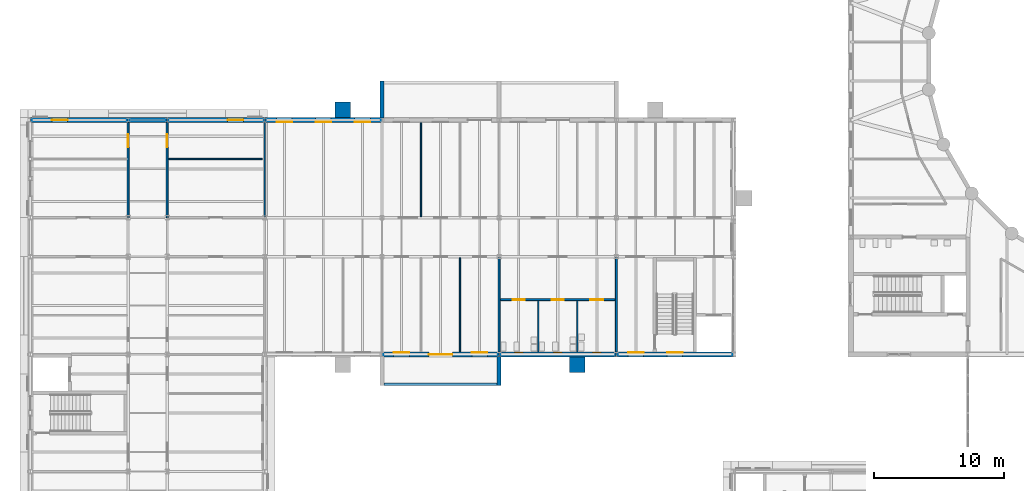
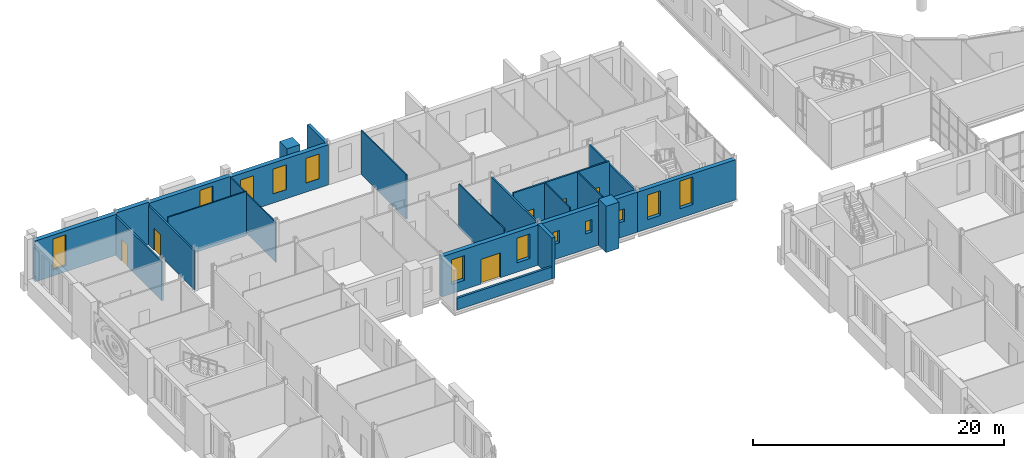
# One storey, part 80 of 134: 23 walls, 12 windows, 6 doors, 18 openings.
"""IFC4 building model written with IfcOpenShell, lengths in metres."""

from ifc_helpers import new_model, si_unit, direction, frame, frame_2d, origin, place, context, subcontext, project, spatial, rectangle, extrude, material, layer, layer_set, type_object, element, fill, save


model = new_model("IFC4")

# Units and contexts
model_context = context("Model", 3, precision=1e-05, world=origin(), true_north=direction((0.0, 1.0)))
body_context = subcontext(model_context, "Body", "Model", "MODEL_VIEW")
ifc_project = project(units=[si_unit("LENGTHUNIT", "METRE"), si_unit("AREAUNIT", "SQUARE_METRE"), si_unit("VOLUMEUNIT", "CUBIC_METRE"), si_unit("PLANEANGLEUNIT", "RADIAN"), si_unit("MASSUNIT", "GRAM", prefix="KILO")], contexts=[model_context])

# Site, building, storey
site_placement = place(None, origin())
site = spatial("IfcSite", under=ifc_project, at=site_placement, CompositionType="ELEMENT")
building_placement = place(site_placement, origin())
building = spatial("IfcBuilding", under=site, at=building_placement, Name="Golden Quay Civic Hall", CompositionType="ELEMENT")
storey_placement = place(building_placement, frame((0.0, 0.0, 5.39990234375)))
storey = spatial("IfcBuildingStorey", under=building, at=storey_placement, Name="L01", CompositionType="ELEMENT", Elevation=5.39990234375)

# Wall
ifc_material_1 = material(Name="Brick, dark clay facing", Category="masonry")
ifc_layer_1 = layer(ifc_material_1, 0.199951171875)
ifc_layer_set_1 = layer_set([ifc_layer_1], Name="Brick balustrade wall 200")
wall_type_1 = type_object("IfcWallType", Name="Brick balustrade wall 200", PredefinedType="STANDARD", material=ifc_layer_set_1)
wall_1_placement = place(storey_placement, frame((27.14990234375, 60.719970703125, 0.0), z_axis=(0.0, 0.0, 1.0), x_axis=(1.0, 0.0, 0.0)))
element("IfcWall", 1, at=wall_1_placement, inside=storey, type_object=wall_type_1, Name="Brick balustrade wall 200 L01 1", PredefinedType="STANDARD", context=body_context, shape_type="SweptSolid", body=[
    extrude(rectangle(XDim=8.7001953125, YDim=0.199951171875, at=frame_2d((4.35009765625, 0.0))), origin(), (0.0, 0.0, 1.0), 1.150146484375),
])

# Wall, openings, windows
ifc_material_2 = material(Name="Brick, dark clay facing", Category="masonry")
ifc_layer_2 = layer(ifc_material_2, 0.39990234375)
ifc_layer_set_2 = layer_set([ifc_layer_2], Name="Brick external wall 400")
wall_type_2 = type_object("IfcWallType", Name="Brick external wall 400", PredefinedType="STANDARD", material=ifc_layer_set_2)
wall_2_placement = place(storey_placement, frame((18.010498046875, 81.0, 0.0), z_axis=(0.0, 0.0, 1.0), x_axis=(1.0, 0.0, 0.0)))
wall_2 = element("IfcWall", 2, at=wall_2_placement, inside=storey, type_object=wall_type_2, Name="Brick external wall 400 L01 2", PredefinedType="STANDARD", context=body_context, shape_type="SweptSolid", body=[
    extrude(rectangle(XDim=8.980224609375, YDim=0.39990234375, at=frame_2d((4.490234375, 0.0))), origin(), (0.0, 0.0, 1.0), 3.900146484375),
])
opening_1_placement = place(wall_2_placement, frame((0.889404296875, 0.0, 0.89990234375)))
opening_1 = element("IfcOpeningElement", 3, at=opening_1_placement, cuts=wall_2, Name="Opening WN7", PredefinedType="OPENING", context=body_context, shape_type="SweptSolid", body=[
    extrude(rectangle(XDim=1.199951171875, YDim=2.39990234375, at=frame_2d((0.60009765625, 1.199951171875))), frame((0.0, 0.2099609375, 0.0), z_axis=(0.0, -1.0, 0.0), x_axis=(1.0, 0.0, 0.0)), (0.0, 0.0, 1.0), 0.419921875),
])
opening_2_placement = place(wall_2_placement, frame((3.889404296875, 0.0, 0.89990234375)))
opening_2 = element("IfcOpeningElement", 4, at=opening_2_placement, cuts=wall_2, Name="Opening WN7", PredefinedType="OPENING", context=body_context, shape_type="SweptSolid", body=[
    extrude(rectangle(XDim=1.199951171875, YDim=2.39990234375, at=frame_2d((0.60009765625, 1.199951171875))), frame((0.0, 0.2099609375, 0.0), z_axis=(0.0, -1.0, 0.0), x_axis=(1.0, 0.0, 0.0)), (0.0, 0.0, 1.0), 0.419921875),
])
opening_3_placement = place(wall_2_placement, frame((6.889404296875, 0.0, 0.89990234375)))
opening_3 = element("IfcOpeningElement", 5, at=opening_3_placement, cuts=wall_2, Name="Opening WN7", PredefinedType="OPENING", context=body_context, shape_type="SweptSolid", body=[
    extrude(rectangle(XDim=1.199951171875, YDim=2.39990234375, at=frame_2d((0.60009765625, 1.199951171875))), frame((0.0, 0.2099609375, 0.0), z_axis=(0.0, -1.0, 0.0), x_axis=(1.0, 0.0, 0.0)), (0.0, 0.0, 1.0), 0.419921875),
])
ifc_material_3 = material(Name="Aluminium frame, double glazed", Category="aluminium")
window_type_1 = type_object("IfcWindowType", Name="Window 1200 x 2400", PartitioningType="SINGLE_PANEL", PredefinedType="WINDOW", material=ifc_material_3)
window_1_placement = place(opening_1_placement, origin())
window_1 = element("IfcWindow", 6, at=window_1_placement, inside=storey, type_object=window_type_1, Name="Window 1200 x 2400 L01 4", OverallHeight=2.39990234375, OverallWidth=1.199951171875, PartitioningType="SINGLE_PANEL", PredefinedType="WINDOW", context=body_context, shape_type="SweptSolid", body=[
    extrude(rectangle(XDim=1.199951171875, YDim=2.39990234375, at=frame_2d((0.60009765625, 1.199951171875))), frame((0.0, -0.119873046875, 0.0), z_axis=(0.0, -1.0, 0.0), x_axis=(1.0, 0.0, 0.0)), (0.0, 0.0, 1.0), 0.06005859375),
])
fill(opening_1, window_1)
window_2_placement = place(opening_2_placement, origin())
window_2 = element("IfcWindow", 7, at=window_2_placement, inside=storey, type_object=window_type_1, Name="Window 1200 x 2400 L01 5", OverallHeight=2.39990234375, OverallWidth=1.199951171875, PartitioningType="SINGLE_PANEL", PredefinedType="WINDOW", context=body_context, shape_type="SweptSolid", body=[
    extrude(rectangle(XDim=1.199951171875, YDim=2.39990234375, at=frame_2d((0.60009765625, 1.199951171875))), frame((0.0, -0.119873046875, 0.0), z_axis=(0.0, -1.0, 0.0), x_axis=(1.0, 0.0, 0.0)), (0.0, 0.0, 1.0), 0.06005859375),
])
fill(opening_2, window_2)
window_3_placement = place(opening_3_placement, origin())
window_3 = element("IfcWindow", 8, at=window_3_placement, inside=storey, type_object=window_type_1, Name="Window 1200 x 2400 L01 6", OverallHeight=2.39990234375, OverallWidth=1.199951171875, PartitioningType="SINGLE_PANEL", PredefinedType="WINDOW", context=body_context, shape_type="SweptSolid", body=[
    extrude(rectangle(XDim=1.199951171875, YDim=2.39990234375, at=frame_2d((0.60009765625, 1.199951171875))), frame((0.0, -0.119873046875, 0.0), z_axis=(0.0, -1.0, 0.0), x_axis=(1.0, 0.0, 0.0)), (0.0, 0.0, 1.0), 0.06005859375),
])
fill(opening_3, window_3)

# Wall, openings, door, windows
wall_3_placement = place(storey_placement, frame((35.99072265625, 63.0, 0.0), z_axis=(0.0, 0.0, 1.0), x_axis=(-1.0, 0.0, 0.0)))
wall_3 = element("IfcWall", 9, at=wall_3_placement, inside=storey, type_object=wall_type_2, Name="Brick external wall 400 L01 9", PredefinedType="STANDARD", context=body_context, shape_type="SweptSolid", body=[
    extrude(rectangle(XDim=8.9814453125, YDim=0.39990234375, at=frame_2d((4.49072265625, 0.0))), origin(), (0.0, 0.0, 1.0), 3.900146484375),
])
opening_4_placement = place(wall_3_placement, frame((3.5908203125, 0.0, 0.0)))
opening_4 = element("IfcOpeningElement", 10, at=opening_4_placement, cuts=wall_3, Name="Opening L01-D004", PredefinedType="OPENING", context=body_context, shape_type="SweptSolid", body=[
    extrude(rectangle(XDim=1.800048828125, YDim=2.39990234375, at=frame_2d((0.89990234375, 1.199951171875))), frame((0.0, 0.2099609375, 0.0), z_axis=(0.0, -1.0, 0.0), x_axis=(1.0, 0.0, 0.0)), (0.0, 0.0, 1.0), 0.419921875),
])
opening_5_placement = place(wall_3_placement, frame((6.890869140625, 0.0, 0.89990234375)))
opening_5 = element("IfcOpeningElement", 11, at=opening_5_placement, cuts=wall_3, Name="Opening WN7", PredefinedType="OPENING", context=body_context, shape_type="SweptSolid", body=[
    extrude(rectangle(XDim=1.199951171875, YDim=2.39990234375, at=frame_2d((0.60009765625, 1.199951171875))), frame((0.0, 0.2099609375, 0.0), z_axis=(0.0, -1.0, 0.0), x_axis=(1.0, 0.0, 0.0)), (0.0, 0.0, 1.0), 0.419921875),
])
opening_6_placement = place(wall_3_placement, frame((0.890869140625, 0.0, 0.89990234375)))
opening_6 = element("IfcOpeningElement", 12, at=opening_6_placement, cuts=wall_3, Name="Opening WN7", PredefinedType="OPENING", context=body_context, shape_type="SweptSolid", body=[
    extrude(rectangle(XDim=1.199951171875, YDim=2.39990234375, at=frame_2d((0.60009765625, 1.199951171875))), frame((0.0, 0.2099609375, 0.0), z_axis=(0.0, -1.0, 0.0), x_axis=(1.0, 0.0, 0.0)), (0.0, 0.0, 1.0), 0.419921875),
])
ifc_material_4 = material(Name="Aluminium frame, glazed", Category="aluminium")
door_type_1 = type_object("IfcDoorType", Name="Glazed double terrace door 1800 x 2400", OperationType="DOUBLE_DOOR_SINGLE_SWING", PredefinedType="DOOR", material=ifc_material_4)
door_1_placement = place(opening_4_placement, origin())
door_1 = element("IfcDoor", 13, at=door_1_placement, inside=storey, type_object=door_type_1, Name="Door L01-D004", OperationType="DOUBLE_DOOR_SINGLE_SWING", OverallHeight=2.39990234375, OverallWidth=1.800048828125, PredefinedType="DOOR", context=body_context, shape_type="SweptSolid", body=[
    extrude(rectangle(XDim=1.800048828125, YDim=2.39990234375, at=frame_2d((0.89990234375, 1.199951171875))), frame((0.0, 0.02490234375, 0.0), z_axis=(0.0, -1.0, 0.0), x_axis=(1.0, 0.0, 0.0)), (0.0, 0.0, 1.0), 0.050048828125),
])
fill(opening_4, door_1)
window_4_placement = place(opening_5_placement, origin())
window_4 = element("IfcWindow", 14, at=window_4_placement, inside=storey, type_object=window_type_1, Name="Window 1200 x 2400 L01 19", OverallHeight=2.39990234375, OverallWidth=1.199951171875, PartitioningType="SINGLE_PANEL", PredefinedType="WINDOW", context=body_context, shape_type="SweptSolid", body=[
    extrude(rectangle(XDim=1.199951171875, YDim=2.39990234375, at=frame_2d((0.60009765625, 1.199951171875))), frame((0.0, -0.119873046875, 0.0), z_axis=(0.0, -1.0, 0.0), x_axis=(1.0, 0.0, 0.0)), (0.0, 0.0, 1.0), 0.06005859375),
])
fill(opening_5, window_4)
window_5_placement = place(opening_6_placement, origin())
window_5 = element("IfcWindow", 15, at=window_5_placement, inside=storey, type_object=window_type_1, Name="Window 1200 x 2400 L01 20", OverallHeight=2.39990234375, OverallWidth=1.199951171875, PartitioningType="SINGLE_PANEL", PredefinedType="WINDOW", context=body_context, shape_type="SweptSolid", body=[
    extrude(rectangle(XDim=1.199951171875, YDim=2.39990234375, at=frame_2d((0.60009765625, 1.199951171875))), frame((0.0, -0.119873046875, 0.0), z_axis=(0.0, -1.0, 0.0), x_axis=(1.0, 0.0, 0.0)), (0.0, 0.0, 1.0), 0.06005859375),
])
fill(opening_6, window_5)

# Wall, openings, windows
wall_4_placement = place(storey_placement, frame((44.99072265625, 63.0, 0.0), z_axis=(0.0, 0.0, 1.0), x_axis=(-1.0, 0.0, 0.0)))
wall_4 = element("IfcWall", 16, at=wall_4_placement, inside=storey, type_object=wall_type_2, Name="Brick external wall 400 L01 10", PredefinedType="STANDARD", context=body_context, shape_type="SweptSolid", body=[
    extrude(rectangle(XDim=8.9814453125, YDim=0.39990234375, at=frame_2d((4.49072265625, 0.0))), origin(), (0.0, 0.0, 1.0), 3.900146484375),
])
opening_7_placement = place(wall_4_placement, frame((7.190673828125, 0.0, 1.5)))
opening_7 = element("IfcOpeningElement", 17, at=opening_7_placement, cuts=wall_4, Name="Opening WN1", PredefinedType="OPENING", context=body_context, shape_type="SweptSolid", body=[
    extrude(rectangle(XDim=0.60009765625, YDim=1.199951171875, at=frame_2d((0.300048828125, 0.60009765625))), frame((0.0, 0.2099609375, 0.0), z_axis=(0.0, -1.0, 0.0), x_axis=(1.0, 0.0, 0.0)), (0.0, 0.0, 1.0), 0.419921875),
])
opening_8_placement = place(wall_4_placement, frame((4.190673828125, 0.0, 1.5)))
opening_8 = element("IfcOpeningElement", 18, at=opening_8_placement, cuts=wall_4, Name="Opening WN1", PredefinedType="OPENING", context=body_context, shape_type="SweptSolid", body=[
    extrude(rectangle(XDim=0.60009765625, YDim=1.199951171875, at=frame_2d((0.300048828125, 0.60009765625))), frame((0.0, 0.2099609375, 0.0), z_axis=(0.0, -1.0, 0.0), x_axis=(1.0, 0.0, 0.0)), (0.0, 0.0, 1.0), 0.419921875),
])
opening_9_placement = place(wall_4_placement, frame((1.190673828125, 0.0, 1.5)))
opening_9 = element("IfcOpeningElement", 19, at=opening_9_placement, cuts=wall_4, Name="Opening WN1", PredefinedType="OPENING", context=body_context, shape_type="SweptSolid", body=[
    extrude(rectangle(XDim=0.60009765625, YDim=1.199951171875, at=frame_2d((0.300048828125, 0.60009765625))), frame((0.0, 0.2099609375, 0.0), z_axis=(0.0, -1.0, 0.0), x_axis=(1.0, 0.0, 0.0)), (0.0, 0.0, 1.0), 0.419921875),
])
ifc_material_5 = material(Name="Aluminium frame, double glazed", Category="aluminium")
window_type_2 = type_object("IfcWindowType", Name="WC window 600 x 1200", PartitioningType="SINGLE_PANEL", PredefinedType="WINDOW", material=ifc_material_5)
window_6_placement = place(opening_7_placement, origin())
window_6 = element("IfcWindow", 20, at=window_6_placement, inside=storey, type_object=window_type_2, Name="WC window 600 x 1200 L01 5", OverallHeight=1.199951171875, OverallWidth=0.60009765625, PartitioningType="SINGLE_PANEL", PredefinedType="WINDOW", context=body_context, shape_type="SweptSolid", body=[
    extrude(rectangle(XDim=0.60009765625, YDim=1.199951171875, at=frame_2d((0.300048828125, 0.60009765625))), frame((0.0, -0.119873046875, 0.0), z_axis=(0.0, -1.0, 0.0), x_axis=(1.0, 0.0, 0.0)), (0.0, 0.0, 1.0), 0.06005859375),
])
fill(opening_7, window_6)
window_7_placement = place(opening_8_placement, origin())
window_7 = element("IfcWindow", 21, at=window_7_placement, inside=storey, type_object=window_type_2, Name="WC window 600 x 1200 L01 6", OverallHeight=1.199951171875, OverallWidth=0.60009765625, PartitioningType="SINGLE_PANEL", PredefinedType="WINDOW", context=body_context, shape_type="SweptSolid", body=[
    extrude(rectangle(XDim=0.60009765625, YDim=1.199951171875, at=frame_2d((0.300048828125, 0.60009765625))), frame((0.0, -0.119873046875, 0.0), z_axis=(0.0, -1.0, 0.0), x_axis=(1.0, 0.0, 0.0)), (0.0, 0.0, 1.0), 0.06005859375),
])
fill(opening_8, window_7)
window_8_placement = place(opening_9_placement, origin())
window_8 = element("IfcWindow", 22, at=window_8_placement, inside=storey, type_object=window_type_2, Name="WC window 600 x 1200 L01 7", OverallHeight=1.199951171875, OverallWidth=0.60009765625, PartitioningType="SINGLE_PANEL", PredefinedType="WINDOW", context=body_context, shape_type="SweptSolid", body=[
    extrude(rectangle(XDim=0.60009765625, YDim=1.199951171875, at=frame_2d((0.300048828125, 0.60009765625))), frame((0.0, -0.119873046875, 0.0), z_axis=(0.0, -1.0, 0.0), x_axis=(1.0, 0.0, 0.0)), (0.0, 0.0, 1.0), 0.06005859375),
])
fill(opening_9, window_8)

ifc_material_6 = material(Name="Brick, dark clay facing", Category="masonry")
ifc_layer_3 = layer(ifc_material_6, 0.39990234375)
ifc_layer_set_3 = layer_set([ifc_layer_3], Name="Brick external wall 400 fire EI 60")
wall_type_3 = type_object("IfcWallType", Name="Brick external wall 400 fire EI 60", PredefinedType="STANDARD", material=ifc_layer_set_3)
wall_5_placement = place(storey_placement, frame((53.99072265625, 63.0, 0.0), z_axis=(0.0, 0.0, 1.0), x_axis=(-1.0, 0.0, 0.0)))
wall_5 = element("IfcWall", 23, at=wall_5_placement, inside=storey, type_object=wall_type_3, Name="Brick external wall 400 fire EI 60 L01 1", PredefinedType="STANDARD", context=body_context, shape_type="SweptSolid", body=[
    extrude(rectangle(XDim=8.9814453125, YDim=0.39990234375, at=frame_2d((4.49072265625, 0.0))), origin(), (0.0, 0.0, 1.0), 3.900146484375),
])
opening_10_placement = place(wall_5_placement, frame((6.890869140625, 0.0, 0.89990234375)))
opening_10 = element("IfcOpeningElement", 24, at=opening_10_placement, cuts=wall_5, Name="Opening WN7", PredefinedType="OPENING", context=body_context, shape_type="SweptSolid", body=[
    extrude(rectangle(XDim=1.199951171875, YDim=2.39990234375, at=frame_2d((0.60009765625, 1.199951171875))), frame((0.0, 0.2099609375, 0.0), z_axis=(0.0, -1.0, 0.0), x_axis=(1.0, 0.0, 0.0)), (0.0, 0.0, 1.0), 0.419921875),
])
opening_11_placement = place(wall_5_placement, frame((3.890869140625, 0.0, 0.89990234375)))
opening_11 = element("IfcOpeningElement", 25, at=opening_11_placement, cuts=wall_5, Name="Opening WN13", PredefinedType="OPENING", context=body_context, shape_type="SweptSolid", body=[
    extrude(rectangle(XDim=1.199951171875, YDim=2.699951171875, at=frame_2d((0.60009765625, 1.35009765625))), frame((0.0, 0.2099609375, 0.0), z_axis=(0.0, -1.0, 0.0), x_axis=(1.0, 0.0, 0.0)), (0.0, 0.0, 1.0), 0.419921875),
])
ifc_material_7 = material(Name="Aluminium frame, double glazed", Category="aluminium")
window_type_3 = type_object("IfcWindowType", Name="Stair light window 1200 x 2700", PartitioningType="SINGLE_PANEL", PredefinedType="WINDOW", material=ifc_material_7)
window_9_placement = place(opening_11_placement, origin())
window_9 = element("IfcWindow", 26, at=window_9_placement, inside=storey, type_object=window_type_3, Name="Stair light window 1200 x 2700 L01 1", OverallHeight=2.699951171875, OverallWidth=1.199951171875, PartitioningType="SINGLE_PANEL", PredefinedType="WINDOW", context=body_context, shape_type="SweptSolid", body=[
    extrude(rectangle(XDim=1.199951171875, YDim=2.699951171875, at=frame_2d((0.60009765625, 1.35009765625))), frame((0.0, -0.119873046875, 0.0), z_axis=(0.0, -1.0, 0.0), x_axis=(1.0, 0.0, 0.0)), (0.0, 0.0, 1.0), 0.06005859375),
])
fill(opening_11, window_9)
window_10_placement = place(opening_10_placement, origin())
window_10 = element("IfcWindow", 27, at=window_10_placement, inside=storey, type_object=window_type_1, Name="Window 1200 x 2400 L01 21", OverallHeight=2.39990234375, OverallWidth=1.199951171875, PartitioningType="SINGLE_PANEL", PredefinedType="WINDOW", context=body_context, shape_type="SweptSolid", body=[
    extrude(rectangle(XDim=1.199951171875, YDim=2.39990234375, at=frame_2d((0.60009765625, 1.199951171875))), frame((0.0, -0.119873046875, 0.0), z_axis=(0.0, -1.0, 0.0), x_axis=(1.0, 0.0, 0.0)), (0.0, 0.0, 1.0), 0.06005859375),
])
fill(opening_10, window_10)

# Walls
ifc_material_8 = material(Name="Brick, dark clay facing", Category="masonry")
ifc_layer_4 = layer(ifc_material_8, 0.300048828125)
ifc_layer_set_4 = layer_set([ifc_layer_4], Name="Brick loggia wall 300")
wall_type_4 = type_object("IfcWallType", Name="Brick loggia wall 300", PredefinedType="STANDARD", material=ifc_layer_set_4)
wall_6_placement = place(storey_placement, frame((36.0, 62.85498046875, 0.0), z_axis=(0.0, 0.0, 1.0), x_axis=(0.0, -1.0, 0.0)))
element("IfcWall", 28, at=wall_6_placement, inside=storey, type_object=wall_type_4, Name="Brick loggia wall 300 L01 2", PredefinedType="STANDARD", context=body_context, shape_type="SweptSolid", body=[
    extrude(rectangle(XDim=2.2548828125, YDim=0.300048828125, at=frame_2d((1.12744140625, 0.0))), origin(), (0.0, 0.0, 1.0), 3.97021484375),
])
wall_7_placement = place(storey_placement, frame((27.0, 81.14501953125, 0.0), z_axis=(0.0, 0.0, 1.0), x_axis=(0.0, 1.0, 0.0)))
element("IfcWall", 29, at=wall_7_placement, inside=storey, type_object=wall_type_4, Name="Brick loggia wall 300 L01 3", PredefinedType="STANDARD", context=body_context, shape_type="SweptSolid", body=[
    extrude(rectangle(XDim=2.85498046875, YDim=0.300048828125, at=frame_2d((1.427490234375, 0.0))), origin(), (0.0, 0.0, 1.0), 3.97021484375),
])
ifc_material_9 = material(Name="Brick, dark clay facing", Category="masonry")
ifc_layer_5 = layer(ifc_material_9, 1.199951171875)
ifc_layer_set_5 = layer_set([ifc_layer_5], Name="Brick pilaster 1200 x 1200")
wall_type_5 = type_object("IfcWallType", Name="Brick pilaster 1200 x 1200", PredefinedType="STANDARD", material=ifc_layer_set_5)
for number, where, z_axis, x_axis, name in (
    (30, (23.39990234375, 81.800048828125, 0.0), (0.0, 0.0, 1.0), (1.0, 0.0, 0.0), "Brick pilaster 1200 x 1200 L01 1"),
    (31, (41.39990234375, 62.199951171875, 0.0), (0.0, 0.0, 1.0), (1.0, 0.0, 0.0), "Brick pilaster 1200 x 1200 L01 5"),
):
    element("IfcWall", number, at=place(storey_placement, frame(where, z_axis=z_axis, x_axis=x_axis)), inside=storey, type_object=wall_type_5, Name=name, PredefinedType="STANDARD", context=body_context, shape_type="SweptSolid", body=[
        extrude(rectangle(XDim=1.2001953125, YDim=1.199951171875, at=frame_2d((0.60009765625, 0.0))), origin(), (0.0, 0.0, 1.0), 4.5),
    ])
ifc_material_10 = material(Name="Plasterboard on steel studs", Category="steel")
ifc_layer_6 = layer(ifc_material_10, 0.10009765625)
ifc_layer_set_6 = layer_set([ifc_layer_6], Name="Partition 100 stud")
wall_type_6 = type_object("IfcWallType", Name="Partition 100 stud", PredefinedType="PARTITIONING", material=ifc_layer_set_6)
wall_8_placement = place(storey_placement, frame((10.574951171875, 78.0, 0.0), z_axis=(0.0, 0.0, 1.0), x_axis=(1.0, 0.0, 0.0)))
element("IfcWall", 32, at=wall_8_placement, inside=storey, type_object=wall_type_6, Name="Partition L01-042", PredefinedType="PARTITIONING", context=body_context, shape_type="SweptSolid", body=[
    extrude(rectangle(XDim=7.22509765625, YDim=0.10009765625, at=frame_2d((3.612548828125, 0.0))), origin(), (0.0, 0.0, 1.0), 4.300048828125),
])
wall_9_placement = place(storey_placement, frame((18.0, 73.574951171875, 0.0), z_axis=(0.0, 0.0, 1.0), x_axis=(0.0, 1.0, 0.0)))
element("IfcWall", 33, at=wall_9_placement, inside=storey, type_object=wall_type_6, Name="Partition L01-044", PredefinedType="PARTITIONING", context=body_context, shape_type="SweptSolid", body=[
    extrude(rectangle(XDim=7.22509765625, YDim=0.10009765625, at=frame_2d((3.612548828125, 0.0))), origin(), (0.0, 0.0, 1.0), 3.880126953125),
])
for number, where, z_axis, x_axis, name in (
    (34, (33.0, 63.199951171875, 0.0), (0.0, 0.0, 1.0), (0.0, 1.0, 0.0), "Partition L01-003"),
    (35, (30.0, 73.574951171875, 0.0), (0.0, 0.0, 1.0), (0.0, 1.0, 0.0), "Partition L01-005"),
):
    element("IfcWall", number, at=place(storey_placement, frame(where, z_axis=z_axis, x_axis=x_axis)), inside=storey, type_object=wall_type_6, Name=name, PredefinedType="PARTITIONING", context=body_context, shape_type="SweptSolid", body=[
        extrude(rectangle(XDim=7.22509765625, YDim=0.10009765625, at=frame_2d((3.612548828125, 0.0))), origin(), (0.0, 0.0, 1.0), 4.300048828125),
    ])
for number, where, z_axis, x_axis, name in (
    (36, (39.0, 63.199951171875, 0.0), (0.0, 0.0, 1.0), (0.0, 1.0, 0.0), "Partition L01-016"),
    (37, (42.0, 63.199951171875, 0.0), (0.0, 0.0, 1.0), (0.0, 1.0, 0.0), "Partition L01-017"),
):
    element("IfcWall", number, at=place(storey_placement, frame(where, z_axis=z_axis, x_axis=x_axis)), inside=storey, type_object=wall_type_6, Name=name, PredefinedType="PARTITIONING", context=body_context, shape_type="SweptSolid", body=[
        extrude(rectangle(XDim=3.925048828125, YDim=0.10009765625, at=frame_2d((1.96240234375, 0.0))), origin(), (0.0, 0.0, 1.0), 4.300048828125),
    ])

# Wall, opening, door
ifc_material_11 = material(Name="Plasterboard on steel studs", Category="steel")
ifc_layer_7 = layer(ifc_material_11, 0.14990234375)
ifc_layer_set_7 = layer_set([ifc_layer_7], Name="Partition 150 stud fire EI 60")
wall_type_7 = type_object("IfcWallType", Name="Partition 150 stud fire EI 60", PredefinedType="PARTITIONING", material=ifc_layer_set_7)
wall_10_placement = place(storey_placement, frame((7.5, 73.5, 0.0), z_axis=(0.0, 0.0, 1.0), x_axis=(0.0, 1.0, 0.0)))
wall_10 = element("IfcWall", 38, at=wall_10_placement, inside=storey, type_object=wall_type_7, Name="Partition L01-028", PredefinedType="PARTITIONING", context=body_context, shape_type="SweptSolid", body=[
    extrude(rectangle(XDim=7.300048828125, YDim=0.14990234375, at=frame_2d((3.64990234375, 0.0))), origin(), (0.0, 0.0, 1.0), 3.780029296875),
])
opening_12_placement = place(wall_10_placement, frame((5.39990234375, 0.0, 0.0)))
opening_12 = element("IfcOpeningElement", 39, at=opening_12_placement, cuts=wall_10, Name="Opening L01-D065", PredefinedType="OPENING", context=body_context, shape_type="SweptSolid", body=[
    extrude(rectangle(XDim=1.0, YDim=2.10009765625, at=frame_2d((0.5, 1.050048828125))), frame((0.0, 0.0849609375, 0.0), z_axis=(0.0, -1.0, 0.0), x_axis=(1.0, 0.0, 0.0)), (0.0, 0.0, 1.0), 0.169921875),
])
ifc_material_12 = material(Name="Steel", Category="steel")
door_type_2 = type_object("IfcDoorType", Name="Steel fire door FD30S 1000 x 2100", OperationType="SINGLE_SWING_LEFT", PredefinedType="DOOR", material=ifc_material_12)
door_2_placement = place(opening_12_placement, origin())
door_2 = element("IfcDoor", 40, at=door_2_placement, inside=storey, type_object=door_type_2, Name="Door L01-D065", OperationType="SINGLE_SWING_LEFT", OverallHeight=2.10009765625, OverallWidth=1.0, PredefinedType="DOOR", context=body_context, shape_type="SweptSolid", body=[
    extrude(rectangle(XDim=1.0, YDim=2.10009765625, at=frame_2d((0.5, 1.050048828125))), frame((0.0, 0.02490234375, 0.0), z_axis=(0.0, -1.0, 0.0), x_axis=(1.0, 0.0, 0.0)), (0.0, 0.0, 1.0), 0.050048828125),
])
fill(opening_12, door_2)

wall_11_placement = place(storey_placement, frame((10.5, 73.5, 0.0), z_axis=(0.0, 0.0, 1.0), x_axis=(0.0, 1.0, 0.0)))
wall_11 = element("IfcWall", 41, at=wall_11_placement, inside=storey, type_object=wall_type_7, Name="Partition L01-030", PredefinedType="PARTITIONING", context=body_context, shape_type="SweptSolid", body=[
    extrude(rectangle(XDim=7.300048828125, YDim=0.14990234375, at=frame_2d((3.64990234375, 0.0))), origin(), (0.0, 0.0, 1.0), 3.780029296875),
])
opening_13_placement = place(wall_11_placement, frame((5.39990234375, 0.0, 0.0)))
opening_13 = element("IfcOpeningElement", 42, at=opening_13_placement, cuts=wall_11, Name="Opening L01-D067", PredefinedType="OPENING", context=body_context, shape_type="SweptSolid", body=[
    extrude(rectangle(XDim=1.0, YDim=2.10009765625, at=frame_2d((0.5, 1.050048828125))), frame((0.0, 0.0849609375, 0.0), z_axis=(0.0, -1.0, 0.0), x_axis=(1.0, 0.0, 0.0)), (0.0, 0.0, 1.0), 0.169921875),
])
door_3_placement = place(opening_13_placement, frame((1.0, 0.0, 0.0), z_axis=(0.0, 0.0, 1.0), x_axis=(-1.0, 0.0, 0.0)))
door_3 = element("IfcDoor", 43, at=door_3_placement, inside=storey, type_object=door_type_2, Name="Door L01-D067", OperationType="SINGLE_SWING_RIGHT", OverallHeight=2.10009765625, OverallWidth=1.0, PredefinedType="DOOR", context=body_context, shape_type="SweptSolid", body=[
    extrude(rectangle(XDim=1.0, YDim=2.10009765625, at=frame_2d((0.5, 1.050048828125))), frame((0.0, 0.025146484375, 0.0), z_axis=(0.0, -1.0, 0.0), x_axis=(1.0, 0.0, 0.0)), (0.0, 0.0, 1.0), 0.050048828125),
])
fill(opening_13, door_3)

# Walls
for number, where, z_axis, x_axis, name in (
    (44, (36.0, 63.199951171875, 0.0), (0.0, 0.0, 1.0), (0.0, 1.0, 0.0), "Partition L01-004"),
    (45, (45.0, 63.199951171875, 0.0), (0.0, 0.0, 1.0), (0.0, 1.0, 0.0), "Partition L01-012"),
):
    element("IfcWall", number, at=place(storey_placement, frame(where, z_axis=z_axis, x_axis=x_axis)), inside=storey, type_object=wall_type_7, Name=name, PredefinedType="PARTITIONING", context=body_context, shape_type="SweptSolid", body=[
        extrude(rectangle(XDim=7.22509765625, YDim=0.14990234375, at=frame_2d((3.612548828125, 0.0))), origin(), (0.0, 0.0, 1.0), 3.9501953125),
    ])

# Wall, openings, doors
wall_12_placement = place(storey_placement, frame((36.074951171875, 67.199951171875, 0.0), z_axis=(0.0, 0.0, 1.0), x_axis=(1.0, 0.0, 0.0)))
wall_12 = element("IfcWall", 46, at=wall_12_placement, inside=storey, type_object=wall_type_7, Name="Partition L01-015", PredefinedType="PARTITIONING", context=body_context, shape_type="SweptSolid", body=[
    extrude(rectangle(XDim=8.85009765625, YDim=0.14990234375, at=frame_2d((4.425048828125, 0.0))), origin(), (0.0, 0.0, 1.0), 4.300048828125),
])
opening_14_placement = place(wall_12_placement, frame((0.97509765625, 0.0, 0.0)))
opening_14 = element("IfcOpeningElement", 47, at=opening_14_placement, cuts=wall_12, Name="Opening L01-D084", PredefinedType="OPENING", context=body_context, shape_type="SweptSolid", body=[
    extrude(rectangle(XDim=0.89990234375, YDim=2.10009765625, at=frame_2d((0.449951171875, 1.050048828125))), frame((0.0, 0.0849609375, 0.0), z_axis=(0.0, -1.0, 0.0), x_axis=(1.0, 0.0, 0.0)), (0.0, 0.0, 1.0), 0.169921875),
])
opening_15_placement = place(wall_12_placement, frame((3.97509765625, 0.0, 0.0)))
opening_15 = element("IfcOpeningElement", 48, at=opening_15_placement, cuts=wall_12, Name="Opening L01-D085", PredefinedType="OPENING", context=body_context, shape_type="SweptSolid", body=[
    extrude(rectangle(XDim=0.89990234375, YDim=2.10009765625, at=frame_2d((0.449951171875, 1.050048828125))), frame((0.0, 0.0849609375, 0.0), z_axis=(0.0, -1.0, 0.0), x_axis=(1.0, 0.0, 0.0)), (0.0, 0.0, 1.0), 0.169921875),
])
opening_16_placement = place(wall_12_placement, frame((6.925048828125, 0.0, 0.0)))
opening_16 = element("IfcOpeningElement", 49, at=opening_16_placement, cuts=wall_12, Name="Opening L01-D086", PredefinedType="OPENING", context=body_context, shape_type="SweptSolid", body=[
    extrude(rectangle(XDim=1.0, YDim=2.10009765625, at=frame_2d((0.5, 1.050048828125))), frame((0.0, 0.0849609375, 0.0), z_axis=(0.0, -1.0, 0.0), x_axis=(1.0, 0.0, 0.0)), (0.0, 0.0, 1.0), 0.169921875),
])
ifc_material_13 = material(Name="Timber", Category="wood")
door_type_3 = type_object("IfcDoorType", Name="Timber door 1000 x 2100", OperationType="SINGLE_SWING_LEFT", PredefinedType="DOOR", material=ifc_material_13)
door_4_placement = place(opening_16_placement, frame((1.0, 0.0, 0.0), z_axis=(0.0, 0.0, 1.0), x_axis=(-1.0, 0.0, 0.0)))
door_4 = element("IfcDoor", 50, at=door_4_placement, inside=storey, type_object=door_type_3, Name="Door L01-D086", OperationType="SINGLE_SWING_RIGHT", OverallHeight=2.10009765625, OverallWidth=1.0, PredefinedType="DOOR", context=body_context, shape_type="SweptSolid", body=[
    extrude(rectangle(XDim=1.0, YDim=2.10009765625, at=frame_2d((0.5, 1.050048828125))), frame((0.0, 0.025146484375, 0.0), z_axis=(0.0, -1.0, 0.0), x_axis=(1.0, 0.0, 0.0)), (0.0, 0.0, 1.0), 0.050048828125),
])
fill(opening_16, door_4)
ifc_material_14 = material(Name="Timber", Category="wood")
door_type_4 = type_object("IfcDoorType", Name="Timber door 900 x 2100", OperationType="SINGLE_SWING_LEFT", PredefinedType="DOOR", material=ifc_material_14)
door_5_placement = place(opening_14_placement, frame((0.89990234375, 0.0, 0.0), z_axis=(0.0, 0.0, 1.0), x_axis=(-1.0, 0.0, 0.0)))
door_5 = element("IfcDoor", 51, at=door_5_placement, inside=storey, type_object=door_type_4, Name="Door L01-D084", OperationType="SINGLE_SWING_RIGHT", OverallHeight=2.10009765625, OverallWidth=0.89990234375, PredefinedType="DOOR", context=body_context, shape_type="SweptSolid", body=[
    extrude(rectangle(XDim=0.89990234375, YDim=2.10009765625, at=frame_2d((0.449951171875, 1.050048828125))), frame((0.0, 0.025146484375, 0.0), z_axis=(0.0, -1.0, 0.0), x_axis=(1.0, 0.0, 0.0)), (0.0, 0.0, 1.0), 0.050048828125),
])
fill(opening_14, door_5)
door_6_placement = place(opening_15_placement, frame((0.89990234375, 0.0, 0.0), z_axis=(0.0, 0.0, 1.0), x_axis=(-1.0, 0.0, 0.0)))
door_6 = element("IfcDoor", 52, at=door_6_placement, inside=storey, type_object=door_type_4, Name="Door L01-D085", OperationType="SINGLE_SWING_RIGHT", OverallHeight=2.10009765625, OverallWidth=0.89990234375, PredefinedType="DOOR", context=body_context, shape_type="SweptSolid", body=[
    extrude(rectangle(XDim=0.89990234375, YDim=2.10009765625, at=frame_2d((0.449951171875, 1.050048828125))), frame((0.0, 0.025146484375, 0.0), z_axis=(0.0, -1.0, 0.0), x_axis=(1.0, 0.0, 0.0)), (0.0, 0.0, 1.0), 0.050048828125),
])
fill(opening_15, door_6)

# Wall, opening, window
ifc_material_15 = material(Name="Clay block, rendered, cream")
ifc_layer_8 = layer(ifc_material_15, 0.39990234375)
ifc_layer_set_8 = layer_set([ifc_layer_8], Name="Rendered block external wall 400")
wall_type_8 = type_object("IfcWallType", Name="Rendered block external wall 400", PredefinedType="STANDARD", material=ifc_layer_set_8)
wall_13_placement = place(storey_placement, frame((0.010498046875, 81.0, 0.0), z_axis=(0.0, 0.0, 1.0), x_axis=(1.0, 0.0, 0.0)))
wall_13 = element("IfcWall", 53, at=wall_13_placement, inside=storey, type_object=wall_type_8, Name="Rendered block external wall 400 L01 9", PredefinedType="STANDARD", context=body_context, shape_type="SweptSolid", body=[
    extrude(rectangle(XDim=7.47900390625, YDim=0.39990234375, at=frame_2d((3.739501953125, 0.0))), origin(), (0.0, 0.0, 1.0), 3.97021484375),
])
opening_17_placement = place(wall_13_placement, frame((1.639404296875, 0.0, 0.60009765625)))
opening_17 = element("IfcOpeningElement", 54, at=opening_17_placement, cuts=wall_13, Name="Opening WN5", PredefinedType="OPENING", context=body_context, shape_type="SweptSolid", body=[
    extrude(rectangle(XDim=1.199951171875, YDim=3.0, at=frame_2d((0.60009765625, 1.5))), frame((0.0, 0.2099609375, 0.0), z_axis=(0.0, -1.0, 0.0), x_axis=(1.0, 0.0, 0.0)), (0.0, 0.0, 1.0), 0.419921875),
])
ifc_material_16 = material(Name="Aluminium frame, double glazed", Category="aluminium")
window_type_4 = type_object("IfcWindowType", Name="Golden grid window 1200 x 3000", PartitioningType="SINGLE_PANEL", PredefinedType="WINDOW", material=ifc_material_16)
window_11_placement = place(opening_17_placement, origin())
window_11 = element("IfcWindow", 55, at=window_11_placement, inside=storey, type_object=window_type_4, Name="Golden grid window 1200 x 3000 L01 12", OverallHeight=3.0, OverallWidth=1.199951171875, PartitioningType="SINGLE_PANEL", PredefinedType="WINDOW", context=body_context, shape_type="SweptSolid", body=[
    extrude(rectangle(XDim=1.199951171875, YDim=3.0, at=frame_2d((0.60009765625, 1.5))), frame((0.0, 0.030029296875, 0.0), z_axis=(0.0, -1.0, 0.0), x_axis=(1.0, 0.0, 0.0)), (0.0, 0.0, 1.0), 0.06005859375),
])
fill(opening_17, window_11)

# Wall
wall_14_placement = place(storey_placement, frame((7.510498046875, 81.0, 0.0), z_axis=(0.0, 0.0, 1.0), x_axis=(1.0, 0.0, 0.0)))
element("IfcWall", 56, at=wall_14_placement, inside=storey, type_object=wall_type_8, Name="Rendered block external wall 400 L01 10", PredefinedType="STANDARD", context=body_context, shape_type="SweptSolid", body=[
    extrude(rectangle(XDim=2.97900390625, YDim=0.39990234375, at=frame_2d((1.489501953125, 0.0))), origin(), (0.0, 0.0, 1.0), 4.10009765625),
])

# Wall, opening, window
wall_15_placement = place(storey_placement, frame((10.510498046875, 81.0, 0.0), z_axis=(0.0, 0.0, 1.0), x_axis=(1.0, 0.0, 0.0)))
wall_15 = element("IfcWall", 57, at=wall_15_placement, inside=storey, type_object=wall_type_8, Name="Rendered block external wall 400 L01 11", PredefinedType="STANDARD", context=body_context, shape_type="SweptSolid", body=[
    extrude(rectangle(XDim=7.47900390625, YDim=0.39990234375, at=frame_2d((3.739501953125, 0.0))), origin(), (0.0, 0.0, 1.0), 3.97021484375),
])
opening_18_placement = place(wall_15_placement, frame((4.639404296875, 0.0, 0.60009765625)))
opening_18 = element("IfcOpeningElement", 58, at=opening_18_placement, cuts=wall_15, Name="Opening WN5", PredefinedType="OPENING", context=body_context, shape_type="SweptSolid", body=[
    extrude(rectangle(XDim=1.199951171875, YDim=3.0, at=frame_2d((0.60009765625, 1.5))), frame((0.0, 0.2099609375, 0.0), z_axis=(0.0, -1.0, 0.0), x_axis=(1.0, 0.0, 0.0)), (0.0, 0.0, 1.0), 0.419921875),
])
window_12_placement = place(opening_18_placement, origin())
window_12 = element("IfcWindow", 59, at=window_12_placement, inside=storey, type_object=window_type_4, Name="Golden grid window 1200 x 3000 L01 13", OverallHeight=3.0, OverallWidth=1.199951171875, PartitioningType="SINGLE_PANEL", PredefinedType="WINDOW", context=body_context, shape_type="SweptSolid", body=[
    extrude(rectangle(XDim=1.199951171875, YDim=3.0, at=frame_2d((0.60009765625, 1.5))), frame((0.0, 0.030029296875, 0.0), z_axis=(0.0, -1.0, 0.0), x_axis=(1.0, 0.0, 0.0)), (0.0, 0.0, 1.0), 0.06005859375),
])
fill(opening_18, window_12)

save(model, "model.ifc")
